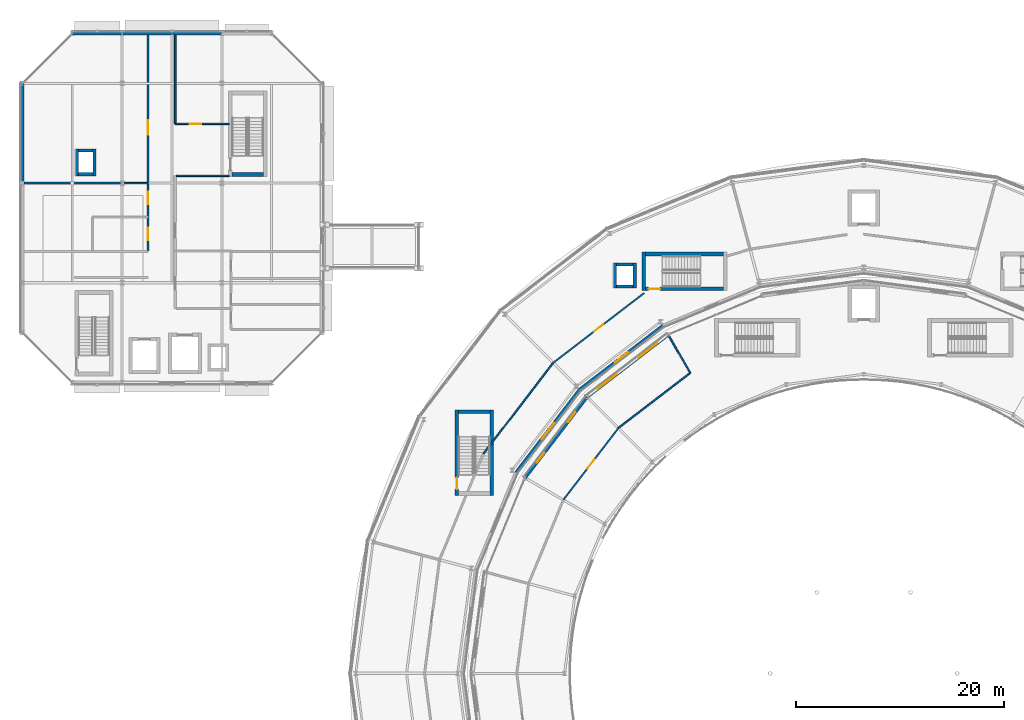
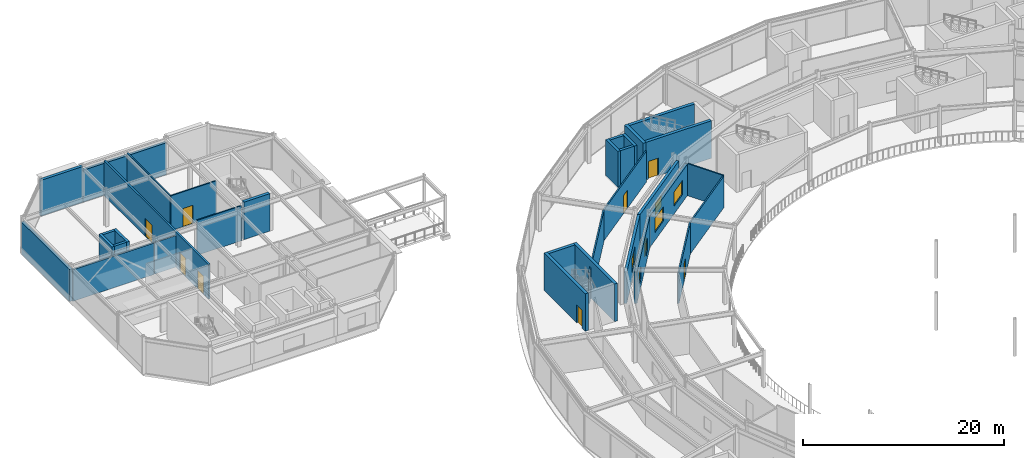
# One storey, part 121 of 157: 33 walls, 8 doors, 6 windows, 14 openings.
"""IFC4 building model written with IfcOpenShell, lengths in metres."""

import ifcopenshell
import ifcopenshell.guid

model = None  # the IFC model being written
_history = None  # IfcOwnerHistory: only IFC2X3 demands one
_inside = {}  # id of a spatial element -> (the spatial element, [elements in it])
_under = {}  # id of a project, library or spatial element -> (it, [spatial elements below it])
_declared = {}  # id of a project -> (the project, [libraries it declares])
_typed = {}  # id of a type object -> (the type object, [elements of that type])
_made_of = {}  # id of a material, layer set ... -> (it, [elements and type objects made of it])


def new_model(schema):
    """Start an empty IFC model of exactly this schema.

    Asked for "IFC4X3", IfcOpenShell would pick the latest addendum, in which some entities
    have other attributes; the version numbers below select the first issue.
    IFC2X3 requires an IfcOwnerHistory on every rooted entity: one is made here for all.
    """
    global model, _history
    if schema == "IFC4X3":
        model = ifcopenshell.file(schema_version=(4, 3, 0, 0))
    else:
        model = ifcopenshell.file(schema=schema)
    _inside.clear()
    _under.clear()
    _declared.clear()
    _typed.clear()
    _made_of.clear()
    _history = None
    if model.schema == "IFC2X3":
        org = make("IfcOrganization", Name="unknown")
        user = make(
            "IfcPersonAndOrganization",
            ThePerson=make("IfcPerson", FamilyName="unknown"),
            TheOrganization=org,
        )
        app = make(
            "IfcApplication",
            ApplicationDeveloper=org,
            Version="unknown",
            ApplicationFullName="unknown",
            ApplicationIdentifier="unknown",
        )
        _history = make(
            "IfcOwnerHistory",
            OwningUser=user,
            OwningApplication=app,
            ChangeAction="ADDED",
            CreationDate=0,
        )
    return model


def make(cls, **values):
    """One entity of the class cls with the attributes given. An attribute that is None is left unset."""
    return model.create_entity(
        cls, **{name: value for name, value in values.items() if value is not None}
    )


def rooted(cls, **values):
    """An entity with a GlobalId (a new one), such as an element, a storey or a relation."""
    return make(cls, GlobalId=ifcopenshell.guid.new(), OwnerHistory=_history, **values)


def si_unit(unit_type, name, prefix=None):
    """IfcSIUnit, for example si_unit("LENGTHUNIT", "METRE", prefix="MILLI")."""
    return make("IfcSIUnit", UnitType=unit_type, Prefix=prefix, Name=name)


def assignment(units):
    """IfcUnitAssignment: the units of a project."""
    return None if units is None else make("IfcUnitAssignment", Units=units)


def point(xyz):
    """IfcCartesianPoint."""
    return None if xyz is None else make("IfcCartesianPoint", Coordinates=xyz)


def direction(xyz):
    """IfcDirection."""
    return None if xyz is None else make("IfcDirection", DirectionRatios=xyz)


def frame(location, z_axis=None, x_axis=None):
    """IfcAxis2Placement3D, a coordinate frame: its origin and axes. An axis left out is left unset."""
    return make(
        "IfcAxis2Placement3D",
        Location=point(location),
        Axis=direction(z_axis),
        RefDirection=direction(x_axis),
    )


def frame_2d(location, x_axis=None):
    """IfcAxis2Placement2D, a coordinate frame in the plane: its origin and x axis."""
    return make(
        "IfcAxis2Placement2D", Location=point(location), RefDirection=direction(x_axis)
    )


def origin():
    """The frame at (0, 0, 0) with its axes left unset."""
    return frame((0.0, 0.0, 0.0))


def place(relative_to, where):
    """IfcLocalPlacement: puts the frame where relative to a parent placement (None: the world)."""
    return make(
        "IfcLocalPlacement", PlacementRelTo=relative_to, RelativePlacement=where
    )


def context(
    kind, dimensions, precision=None, world=None, true_north=None, identifier=None
):
    """IfcGeometricRepresentationContext, for example the 3D "Model" context."""
    return make(
        "IfcGeometricRepresentationContext",
        ContextIdentifier=identifier,
        ContextType=kind,
        CoordinateSpaceDimension=dimensions,
        Precision=precision,
        WorldCoordinateSystem=world,
        TrueNorth=true_north,
    )


def subcontext(parent, identifier, kind, view, scale=None):
    """IfcGeometricRepresentationSubContext, for example "Body" below "Model"."""
    return make(
        "IfcGeometricRepresentationSubContext",
        ContextIdentifier=identifier,
        ContextType=kind,
        ParentContext=parent,
        TargetScale=scale,
        TargetView=view,
    )


def project(units=None, contexts=None):
    """IfcProject with its units and contexts."""
    return rooted(
        "IfcProject",
        Name="project",
        RepresentationContexts=contexts,
        UnitsInContext=assignment(units),
    )


def spatial(cls, under=None, at=None, **own):
    """A site, building, storey or space (cls), placed at a placement, below another one or the project."""
    s = rooted(cls, ObjectPlacement=at, **own)
    if under is not None:
        _under.setdefault(under.id(), (under, []))[1].append(s)
    return s


def profile(cls, at=None, kind="AREA", **sizes):
    """A parametric profile (cls). Its sizes go by their IFC names, for example OverallWidth=200.0."""
    return make(cls, ProfileType=kind, Position=at, **sizes)


def rectangle(**sizes):
    """IfcRectangleProfileDef."""
    return profile("IfcRectangleProfileDef", **sizes)


def extrude(swept, where, along, depth):
    """IfcExtrudedAreaSolid: the profile swept, set in the frame where, extruded along a direction by depth."""
    return make(
        "IfcExtrudedAreaSolid",
        SweptArea=swept,
        Position=where,
        ExtrudedDirection=direction(along),
        Depth=depth,
    )


def shape(context_of_items, identifier, shape_type, items):
    """IfcShapeRepresentation: the items that make up one representation, for example the "Body"."""
    return make(
        "IfcShapeRepresentation",
        ContextOfItems=context_of_items,
        RepresentationIdentifier=identifier,
        RepresentationType=shape_type,
        Items=items,
    )


def material(Name=None, Category=None):
    """IfcMaterial."""
    return make("IfcMaterial", Name=Name, Category=Category)


def layer(
    of_material, thickness, ventilated=None, Name=None, Category=None, Priority=None
):
    """IfcMaterialLayer: one layer of a wall or slab, of a material (None: an air gap)."""
    return make(
        "IfcMaterialLayer",
        Material=of_material,
        LayerThickness=thickness,
        IsVentilated=ventilated,
        Name=Name,
        Category=Category,
        Priority=Priority,
    )


def layer_set(layers, Name=None):
    """IfcMaterialLayerSet."""
    return make("IfcMaterialLayerSet", MaterialLayers=layers, LayerSetName=Name)


def made_of(thing, what):
    """Note that an element or type object is made of a material, layer set ...; save() writes the relation."""
    if what is not None:
        _made_of.setdefault(what.id(), (what, []))[1].append(thing)
    return thing


def type_object(cls, material=None, **own):
    """A type object (cls), such as IfcWallType, which elements share."""
    return made_of(rooted(cls, **own), material)


def element(
    cls,
    number,
    at=None,
    inside=None,
    cuts=None,
    type_object=None,
    material=None,
    context=None,
    identifier="Body",
    shape_type=None,
    held_by="IfcProductDefinitionShape",
    body=None,
    shapes=None,
    **own,
):
    """One element of the class cls, such as IfcWall. Its Tag is "e" and its number.

    at: its placement. inside: the storey or other place that contains it. cuts: it is an
    opening in that element (IfcRelVoidsElement). A single representation is given by context,
    identifier, shape_type and body (its items); several are given by shapes. held_by: the class
    of the entity that holds the representations. save() writes the other relations.
    """
    e = rooted(cls, Tag="e%d" % number, ObjectPlacement=at, **own)
    if body is not None:
        shapes = [shape(context, identifier, shape_type, body)]
    if shapes is not None:
        e.Representation = make(held_by, Representations=shapes)
    if inside is not None:
        _inside.setdefault(inside.id(), (inside, []))[1].append(e)
    if cuts is not None:
        rooted(
            "IfcRelVoidsElement", RelatingBuildingElement=cuts, RelatedOpeningElement=e
        )
    if type_object is not None:
        _typed.setdefault(type_object.id(), (type_object, []))[1].append(e)
    return made_of(e, material)


def fill(opening, filler):
    """IfcRelFillsElement: the door or window that sits in an opening."""
    return rooted(
        "IfcRelFillsElement",
        RelatingOpeningElement=opening,
        RelatedBuildingElement=filler,
    )


def aggregate(whole, parts):
    """IfcRelAggregates: a whole, such as a stair, and the parts it consists of."""
    return rooted("IfcRelAggregates", RelatingObject=whole, RelatedObjects=parts)


def save(model, path):
    """Write the relations noted so far, then the file.

    IfcRelAggregates (storeys below a building ...), IfcRelContainedInSpatialStructure (elements
    in a storey), IfcRelDefinesByType, IfcRelAssociatesMaterial and IfcRelDeclares: one each for
    every whole, place, type object, material and project.
    """
    for whole, parts in _under.values():
        aggregate(whole, parts)
    for where, things in _inside.values():
        rooted(
            "IfcRelContainedInSpatialStructure",
            RelatedElements=things,
            RelatingStructure=where,
        )
    for kind, things in _typed.values():
        rooted("IfcRelDefinesByType", RelatedObjects=things, RelatingType=kind)
    for what, things in _made_of.values():
        rooted("IfcRelAssociatesMaterial", RelatedObjects=things, RelatingMaterial=what)
    for by, libraries in _declared.values():
        rooted("IfcRelDeclares", RelatingContext=by, RelatedDefinitions=libraries)
    model.write(path)


model = new_model("IFC4")

# Units and contexts
model_context = context("Model", 3, precision=1e-05, world=origin(), true_north=direction((0.0, 1.0)))
body_context = subcontext(model_context, "Body", "Model", "MODEL_VIEW")
ifc_project = project(units=[si_unit("LENGTHUNIT", "METRE"), si_unit("AREAUNIT", "SQUARE_METRE"), si_unit("VOLUMEUNIT", "CUBIC_METRE"), si_unit("PLANEANGLEUNIT", "RADIAN"), si_unit("MASSUNIT", "GRAM", prefix="KILO")], contexts=[model_context])

# Site, building, storey
site_placement = place(None, origin())
site = spatial("IfcSite", under=ifc_project, at=site_placement, CompositionType="ELEMENT")
building_placement = place(site_placement, origin())
building = spatial("IfcBuilding", under=site, at=building_placement, Name="Almandine Court Research Institute", CompositionType="ELEMENT")
storey_placement = place(building_placement, frame((0.0, 0.0, 5.25)))
storey = spatial("IfcBuildingStorey", under=building, at=storey_placement, Name="L01", CompositionType="ELEMENT", Elevation=5.25)

# Walls
ifc_material_1 = material(Name="Air-Sealed Cleanroom Envelope Wall")
ifc_layer_1 = layer(ifc_material_1, 0.324951171875)
ifc_layer_set_1 = layer_set([ifc_layer_1], Name="Air-Sealed Cleanroom Envelope Wall")
wall_type_1 = type_object("IfcWallType", Name="Wall-EXT-CR-325", PredefinedType="SOLIDWALL", material=ifc_layer_set_1)
wall_1_placement = place(storey_placement, frame((6.0, 103.2041015625, 0.0), z_axis=(0.0, 0.0, 1.0), x_axis=(0.0, 1.0, 0.0)))
element("IfcWall", 1, at=wall_1_placement, inside=storey, type_object=wall_type_1, Name="L01 Cleanroom West Wall 3", PredefinedType="SOLIDWALL", context=body_context, shape_type="SweptSolid", body=[
    extrude(rectangle(XDim=9.591796875, YDim=0.324951171875, at=frame_2d((4.7958984375, 0.0))), origin(), (0.0, 0.0, 1.0), 3.884033203125),
])
wall_2_placement = place(storey_placement, frame((10.803955078125, 117.60009765625, 0.0), z_axis=(0.0, 0.0, 1.0), x_axis=(1.0, 0.0, 0.0)))
element("IfcWall", 2, at=wall_2_placement, inside=storey, type_object=wall_type_1, Name="L01 Cleanroom North Wall 1", PredefinedType="SOLIDWALL", context=body_context, shape_type="SweptSolid", body=[
    extrude(rectangle(XDim=4.7919921875, YDim=0.324951171875, at=frame_2d((2.39599609375, 0.0))), origin(), (0.0, 0.0, 1.0), 4.3701171875),
])
wall_3_placement = place(storey_placement, frame((15.60400390625, 117.60009765625, 0.0), z_axis=(0.0, 0.0, 1.0), x_axis=(1.0, 0.0, 0.0)))
element("IfcWall", 3, at=wall_3_placement, inside=storey, type_object=wall_type_1, Name="L01 Cleanroom North Wall 2", PredefinedType="SOLIDWALL", context=body_context, shape_type="SweptSolid", body=[
    extrude(rectangle(XDim=9.592041015625, YDim=0.324951171875, at=frame_2d((4.7958984375, 0.0))), origin(), (0.0, 0.0, 1.0), 3.884033203125),
])

# Wall, opening, window
ifc_material_2 = material(Name="Insulated Ochre Terracotta Rainscreen Wall", Category="masonry")
ifc_layer_2 = layer(ifc_material_2, 0.2900390625)
ifc_layer_set_2 = layer_set([ifc_layer_2], Name="Insulated Ochre Terracotta Rainscreen Wall")
wall_type_2 = type_object("IfcWallType", Name="Wall-EXT-TERR-290", PredefinedType="SOLIDWALL", material=ifc_layer_set_2)
wall_4_placement = place(storey_placement, frame((67.6650390625, 89.47705078125, 0.0), z_axis=(0.0, 0.0, 1.0), x_axis=(-0.793371621275, -0.608737604027, 0.0)))
wall_4 = element("IfcWall", 4, at=wall_4_placement, inside=storey, type_object=wall_type_2, Name="L01 Drum Inner Gallery Wall 08", PredefinedType="SOLIDWALL", context=body_context, shape_type="SweptSolid", body=[
    extrude(rectangle(XDim=10.079833984375, YDim=0.2900390625, at=frame_2d((5.0400390625, 0.0))), origin(), (0.0, 0.0, 1.0), 3.81494140625),
])
opening_1_placement = place(wall_4_placement, frame((4.239990234375, 0.0, 0.949951171875)))
opening_1 = element("IfcOpeningElement", 5, at=opening_1_placement, cuts=wall_4, Name="Opening WN-114", PredefinedType="OPENING", context=body_context, shape_type="SweptSolid", body=[
    extrude(rectangle(XDim=1.60009765625, YDim=1.35009765625, at=frame_2d((0.800048828125, 0.675048828125))), frame((0.0, 0.155029296875, 0.0), z_axis=(0.0, -1.0, 0.0), x_axis=(1.0, 0.0, 0.0)), (0.0, 0.0, 1.0), 0.31005859375),
])
ifc_material_3 = material(Name="Thermally Broken Low-E Double-Glazed Window", Category="glass")
window_type_1 = type_object("IfcWindowType", Name="Win-WN-114-1600x1350", PartitioningType="SINGLE_PANEL", PredefinedType="WINDOW", material=ifc_material_3)
window_1_placement = place(opening_1_placement, origin())
window_1 = element("IfcWindow", 6, at=window_1_placement, inside=storey, type_object=window_type_1, Name="L01 Modular Recessed Low-E Window 250", OverallHeight=1.35009765625, OverallWidth=1.60009765625, PartitioningType="SINGLE_PANEL", PredefinedType="WINDOW", context=body_context, shape_type="SweptSolid", body=[
    extrude(rectangle(XDim=1.60009765625, YDim=1.35009765625, at=frame_2d((0.800048828125, 0.675048828125))), frame((0.0, 0.030029296875, 0.0), z_axis=(0.0, -1.0, 0.0), x_axis=(1.0, 0.0, 0.0)), (0.0, 0.0, 1.0), 0.06005859375),
])
fill(opening_1, window_1)

wall_5_placement = place(storey_placement, frame((59.658935546875, 83.33203125, 0.0), z_axis=(0.0, 0.0, 1.0), x_axis=(-0.608737604027, -0.793371621275, 0.0)))
wall_5 = element("IfcWall", 7, at=wall_5_placement, inside=storey, type_object=wall_type_2, Name="L01 Drum Inner Gallery Wall 09", PredefinedType="SOLIDWALL", context=body_context, shape_type="SweptSolid", body=[
    extrude(rectangle(XDim=10.079833984375, YDim=0.2900390625, at=frame_2d((5.0400390625, 0.0))), origin(), (0.0, 0.0, 1.0), 3.81494140625),
])
opening_2_placement = place(wall_5_placement, frame((4.074951171875, 0.0, 0.949951171875)))
opening_2 = element("IfcOpeningElement", 8, at=opening_2_placement, cuts=wall_5, Name="Opening WN-115", PredefinedType="OPENING", context=body_context, shape_type="SweptSolid", body=[
    extrude(rectangle(XDim=1.929931640625, YDim=1.75, at=frame_2d((0.96484375, 0.875))), frame((0.0, 0.155029296875, 0.0), z_axis=(0.0, -1.0, 0.0), x_axis=(1.0, 0.0, 0.0)), (0.0, 0.0, 1.0), 0.31005859375),
])
window_type_2 = type_object("IfcWindowType", Name="Win-WN-115-1930x1750", PartitioningType="SINGLE_PANEL", PredefinedType="WINDOW", material=ifc_material_3)
window_2_placement = place(opening_2_placement, origin())
window_2 = element("IfcWindow", 9, at=window_2_placement, inside=storey, type_object=window_type_2, Name="L01 Modular Recessed Low-E Window 251", OverallHeight=1.75, OverallWidth=1.929931640625, PartitioningType="SINGLE_PANEL", PredefinedType="WINDOW", context=body_context, shape_type="SweptSolid", body=[
    extrude(rectangle(XDim=1.929931640625, YDim=1.75, at=frame_2d((0.96484375, 0.875))), frame((0.0, 0.030029296875, 0.0), z_axis=(0.0, -1.0, 0.0), x_axis=(1.0, 0.0, 0.0)), (0.0, 0.0, 1.0), 0.06005859375),
])
fill(opening_2, window_2)

# Wall, openings, windows
wall_6_placement = place(storey_placement, frame((60.381103515625, 82.625, 0.0), z_axis=(0.0, 0.0, 1.0), x_axis=(0.793364612762, 0.608746738158, 0.0)))
wall_6 = element("IfcWall", 10, at=wall_6_placement, inside=storey, type_object=wall_type_2, Name="L01 Interaction Atrium Perimeter Wall 08", PredefinedType="SOLIDWALL", context=body_context, shape_type="SweptSolid", body=[
    extrude(rectangle(XDim=9.8203125, YDim=0.2900390625, at=frame_2d((4.91015625, 0.0))), origin(), (0.0, 0.0, 1.0), 3.81005859375),
])
opening_3_placement = place(wall_6_placement, frame((1.324951171875, 0.0, 0.949951171875)))
opening_3 = element("IfcOpeningElement", 11, at=opening_3_placement, cuts=wall_6, Name="Opening WN-07", PredefinedType="OPENING", context=body_context, shape_type="SweptSolid", body=[
    extrude(rectangle(XDim=2.260009765625, YDim=1.719970703125, at=frame_2d((1.1298828125, 0.85986328125))), frame((0.0, 0.155029296875, 0.0), z_axis=(0.0, -1.0, 0.0), x_axis=(1.0, 0.0, 0.0)), (0.0, 0.0, 1.0), 0.31005859375),
])
opening_4_placement = place(wall_6_placement, frame((6.235107421875, 0.0, 0.949951171875)))
opening_4 = element("IfcOpeningElement", 12, at=opening_4_placement, cuts=wall_6, Name="Opening WN-07", PredefinedType="OPENING", context=body_context, shape_type="SweptSolid", body=[
    extrude(rectangle(XDim=2.260009765625, YDim=1.719970703125, at=frame_2d((1.1298828125, 0.85986328125))), frame((0.0, 0.155029296875, 0.0), z_axis=(0.0, -1.0, 0.0), x_axis=(1.0, 0.0, 0.0)), (0.0, 0.0, 1.0), 0.31005859375),
])
window_type_3 = type_object("IfcWindowType", Name="Win-WN-07-2260x1720", PartitioningType="SINGLE_PANEL", PredefinedType="WINDOW", material=ifc_material_3)
window_3_placement = place(opening_3_placement, origin())
window_3 = element("IfcWindow", 13, at=window_3_placement, inside=storey, type_object=window_type_3, Name="L01 Modular Recessed Low-E Window 348", OverallHeight=1.719970703125, OverallWidth=2.260009765625, PartitioningType="SINGLE_PANEL", PredefinedType="WINDOW", context=body_context, shape_type="SweptSolid", body=[
    extrude(rectangle(XDim=2.260009765625, YDim=1.719970703125, at=frame_2d((1.1298828125, 0.85986328125))), frame((0.0, 0.030029296875, 0.0), z_axis=(0.0, -1.0, 0.0), x_axis=(1.0, 0.0, 0.0)), (0.0, 0.0, 1.0), 0.06005859375),
])
fill(opening_3, window_3)
window_4_placement = place(opening_4_placement, origin())
window_4 = element("IfcWindow", 14, at=window_4_placement, inside=storey, type_object=window_type_3, Name="L01 Modular Recessed Low-E Window 349", OverallHeight=1.719970703125, OverallWidth=2.260009765625, PartitioningType="SINGLE_PANEL", PredefinedType="WINDOW", context=body_context, shape_type="SweptSolid", body=[
    extrude(rectangle(XDim=2.260009765625, YDim=1.719970703125, at=frame_2d((1.1298828125, 0.85986328125))), frame((0.0, 0.030029296875, 0.0), z_axis=(0.0, -1.0, 0.0), x_axis=(1.0, 0.0, 0.0)), (0.0, 0.0, 1.0), 0.06005859375),
])
fill(opening_4, window_4)

wall_7_placement = place(storey_placement, frame((54.39697265625, 74.827880859375, 0.0), z_axis=(0.0, 0.0, 1.0), x_axis=(0.608746738158, 0.793364612762, 0.0)))
wall_7 = element("IfcWall", 15, at=wall_7_placement, inside=storey, type_object=wall_type_2, Name="L01 Interaction Atrium Perimeter Wall 09", PredefinedType="SOLIDWALL", context=body_context, shape_type="SweptSolid", body=[
    extrude(rectangle(XDim=9.8203125, YDim=0.2900390625, at=frame_2d((4.91015625, 0.0))), origin(), (0.0, 0.0, 1.0), 3.81005859375),
])
opening_5_placement = place(wall_7_placement, frame((1.875, 0.0, 0.949951171875)))
opening_5 = element("IfcOpeningElement", 16, at=opening_5_placement, cuts=wall_7, Name="Opening WN-08", PredefinedType="OPENING", context=body_context, shape_type="SweptSolid", body=[
    extrude(rectangle(XDim=1.159912109375, YDim=1.56005859375, at=frame_2d((0.580078125, 0.780029296875))), frame((0.0, 0.155029296875, 0.0), z_axis=(0.0, -1.0, 0.0), x_axis=(1.0, 0.0, 0.0)), (0.0, 0.0, 1.0), 0.31005859375),
])
opening_6_placement = place(wall_7_placement, frame((6.784912109375, 0.0, 0.949951171875)))
opening_6 = element("IfcOpeningElement", 17, at=opening_6_placement, cuts=wall_7, Name="Opening WN-08", PredefinedType="OPENING", context=body_context, shape_type="SweptSolid", body=[
    extrude(rectangle(XDim=1.159912109375, YDim=1.56005859375, at=frame_2d((0.580078125, 0.780029296875))), frame((0.0, 0.155029296875, 0.0), z_axis=(0.0, -1.0, 0.0), x_axis=(1.0, 0.0, 0.0)), (0.0, 0.0, 1.0), 0.31005859375),
])
window_type_4 = type_object("IfcWindowType", Name="Win-WN-08-1160x1560", PartitioningType="SINGLE_PANEL", PredefinedType="WINDOW", material=ifc_material_3)
window_5_placement = place(opening_5_placement, origin())
window_5 = element("IfcWindow", 18, at=window_5_placement, inside=storey, type_object=window_type_4, Name="L01 Modular Recessed Low-E Window 350", OverallHeight=1.56005859375, OverallWidth=1.159912109375, PartitioningType="SINGLE_PANEL", PredefinedType="WINDOW", context=body_context, shape_type="SweptSolid", body=[
    extrude(rectangle(XDim=1.159912109375, YDim=1.56005859375, at=frame_2d((0.580078125, 0.780029296875))), frame((0.0, 0.030029296875, 0.0), z_axis=(0.0, -1.0, 0.0), x_axis=(1.0, 0.0, 0.0)), (0.0, 0.0, 1.0), 0.06005859375),
])
fill(opening_5, window_5)
window_6_placement = place(opening_6_placement, origin())
window_6 = element("IfcWindow", 19, at=window_6_placement, inside=storey, type_object=window_type_4, Name="L01 Modular Recessed Low-E Window 351", OverallHeight=1.56005859375, OverallWidth=1.159912109375, PartitioningType="SINGLE_PANEL", PredefinedType="WINDOW", context=body_context, shape_type="SweptSolid", body=[
    extrude(rectangle(XDim=1.159912109375, YDim=1.56005859375, at=frame_2d((0.580078125, 0.780029296875))), frame((0.0, 0.030029296875, 0.0), z_axis=(0.0, -1.0, 0.0), x_axis=(1.0, 0.0, 0.0)), (0.0, 0.0, 1.0), 0.06005859375),
])
fill(opening_6, window_6)

# Wall
ifc_material_4 = material(Name="Two-Hour Fire-Barrier Enclosure Wall")
ifc_layer_3 = layer(ifc_material_4, 0.199951171875)
ifc_layer_set_3 = layer_set([ifc_layer_3], Name="Two-Hour Fire-Barrier Enclosure Wall")
wall_type_3 = type_object("IfcWallType", Name="Wall-FIRE-200", PredefinedType="SOLIDWALL", material=ifc_layer_set_3)
wall_8_placement = place(storey_placement, frame((6.159912109375, 103.199951171875, 0.0), z_axis=(0.0, 0.0, 1.0), x_axis=(1.0, 0.0, 0.0)))
element("IfcWall", 20, at=wall_8_placement, inside=storey, type_object=wall_type_3, Name="L01 Interior Partition W-BF-V3-BF1-L01", PredefinedType="SOLIDWALL", context=body_context, shape_type="SweptSolid", body=[
    extrude(rectangle(XDim=9.280029296875, YDim=0.199951171875, at=frame_2d((4.64013671875, 0.0))), origin(), (0.0, 0.0, 1.0), 3.81494140625),
])

# Wall, openings, doors
wall_9_placement = place(storey_placement, frame((18.10009765625, 96.679931640625, 0.0), z_axis=(0.0, 0.0, 1.0), x_axis=(0.0, 1.0, 0.0)))
wall_9 = element("IfcWall", 21, at=wall_9_placement, inside=storey, type_object=wall_type_3, Name="L01 Interior Partition W-V3-L01-CW", PredefinedType="SOLIDWALL", context=body_context, shape_type="SweptSolid", body=[
    extrude(rectangle(XDim=20.760009765625, YDim=0.199951171875, at=frame_2d((10.3798828125, 0.0))), origin(), (0.0, 0.0, 1.0), 4.22998046875),
])
opening_7_placement = place(wall_9_placement, frame((1.0, 0.0, 0.0)))
opening_7 = element("IfcOpeningElement", 22, at=opening_7_placement, cuts=wall_9, Name="Opening FD-LAB", PredefinedType="OPENING", context=body_context, shape_type="SweptSolid", body=[
    extrude(rectangle(XDim=1.199951171875, YDim=2.199951171875, at=frame_2d((0.60009765625, 1.10009765625))), frame((0.0, 0.10986328125, 0.0), z_axis=(0.0, -1.0, 0.0), x_axis=(1.0, 0.0, 0.0)), (0.0, 0.0, 1.0), 0.219970703125),
])
opening_8_placement = place(wall_9_placement, frame((4.5, 0.0, 0.0)))
opening_8 = element("IfcOpeningElement", 23, at=opening_8_placement, cuts=wall_9, Name="Opening FD-LAB", PredefinedType="OPENING", context=body_context, shape_type="SweptSolid", body=[
    extrude(rectangle(XDim=1.199951171875, YDim=2.199951171875, at=frame_2d((0.60009765625, 1.10009765625))), frame((0.0, 0.10986328125, 0.0), z_axis=(0.0, -1.0, 0.0), x_axis=(1.0, 0.0, 0.0)), (0.0, 0.0, 1.0), 0.219970703125),
])
opening_9_placement = place(wall_9_placement, frame((11.199951171875, 0.0, 0.0)))
opening_9 = element("IfcOpeningElement", 24, at=opening_9_placement, cuts=wall_9, Name="Opening FD-LB2", PredefinedType="OPENING", context=body_context, shape_type="SweptSolid", body=[
    extrude(rectangle(XDim=1.35009765625, YDim=2.199951171875, at=frame_2d((0.675048828125, 1.10009765625))), frame((0.0, 0.10986328125, 0.0), z_axis=(0.0, -1.0, 0.0), x_axis=(1.0, 0.0, 0.0)), (0.0, 0.0, 1.0), 0.219970703125),
])
ifc_material_5 = material(Name="Fire-Rated Laboratory Containment Door")
door_type_1 = type_object("IfcDoorType", Name="Door-FD-LAB-1200", OperationType="NOTDEFINED", PredefinedType="DOOR", material=ifc_material_5)
door_1_placement = place(opening_7_placement, origin())
door_1 = element("IfcDoor", 25, at=door_1_placement, inside=storey, type_object=door_type_1, Name="L01 Gowning Airlock Interlock Door", OperationType="SINGLE_SWING_LEFT", OverallHeight=2.199951171875, OverallWidth=1.199951171875, PredefinedType="DOOR", context=body_context, shape_type="SweptSolid", body=[
    extrude(rectangle(XDim=1.199951171875, YDim=2.199951171875, at=frame_2d((0.60009765625, 1.10009765625))), frame((0.0, 0.02490234375, 0.0), z_axis=(0.0, -1.0, 0.0), x_axis=(1.0, 0.0, 0.0)), (0.0, 0.0, 1.0), 0.050048828125),
])
fill(opening_7, door_1)
door_2_placement = place(opening_8_placement, origin())
door_2 = element("IfcDoor", 26, at=door_2_placement, inside=storey, type_object=door_type_1, Name="L01 ISO 5 Clean Room Door", OperationType="SINGLE_SWING_RIGHT", OverallHeight=2.199951171875, OverallWidth=1.199951171875, PredefinedType="DOOR", context=body_context, shape_type="SweptSolid", body=[
    extrude(rectangle(XDim=1.199951171875, YDim=2.199951171875, at=frame_2d((0.60009765625, 1.10009765625))), frame((0.0, 0.02490234375, 0.0), z_axis=(0.0, -1.0, 0.0), x_axis=(1.0, 0.0, 0.0)), (0.0, 0.0, 1.0), 0.050048828125),
])
fill(opening_8, door_2)
ifc_material_6 = material(Name="Wide Fire-Rated Cleanroom and Lab Door")
door_type_2 = type_object("IfcDoorType", Name="Door-FD-LAB-1350", OperationType="NOTDEFINED", PredefinedType="DOOR", material=ifc_material_6)
door_3_placement = place(opening_9_placement, origin())
door_3 = element("IfcDoor", 27, at=door_3_placement, inside=storey, type_object=door_type_2, Name="L01 ISO 6 Clean Room Door", OperationType="SINGLE_SWING_LEFT", OverallHeight=2.199951171875, OverallWidth=1.35009765625, PredefinedType="DOOR", context=body_context, shape_type="SweptSolid", body=[
    extrude(rectangle(XDim=1.35009765625, YDim=2.199951171875, at=frame_2d((0.675048828125, 1.10009765625))), frame((0.0, 0.02490234375, 0.0), z_axis=(0.0, -1.0, 0.0), x_axis=(1.0, 0.0, 0.0)), (0.0, 0.0, 1.0), 0.050048828125),
])
fill(opening_9, door_3)

# Wall, opening, door
ifc_material_7 = material(Name="Acoustic Steel-Stud Gypsum Partition Wall", Category="steel")
ifc_layer_4 = layer(ifc_material_7, 0.14990234375)
ifc_layer_set_4 = layer_set([ifc_layer_4], Name="Acoustic Steel-Stud Gypsum Partition Wall")
wall_type_4 = type_object("IfcWallType", Name="Wall-PART-150", PredefinedType="PARTITIONING", material=ifc_layer_set_4)
wall_10_placement = place(storey_placement, frame((20.719970703125, 108.89990234375, 0.0), z_axis=(0.0, 0.0, 1.0), x_axis=(1.0, 0.0, 0.0)))
wall_10 = element("IfcWall", 28, at=wall_10_placement, inside=storey, type_object=wall_type_4, Name="L01 Interior Partition W-V3-L01-CAL", PredefinedType="PARTITIONING", context=body_context, shape_type="SweptSolid", body=[
    extrude(rectangle(XDim=5.199951171875, YDim=0.14990234375, at=frame_2d((2.60009765625, 0.0))), origin(), (0.0, 0.0, 1.0), 4.22998046875),
])
opening_10_placement = place(wall_10_placement, frame((1.39990234375, 0.0, 0.0)))
opening_10 = element("IfcOpeningElement", 29, at=opening_10_placement, cuts=wall_10, Name="Opening D-03", PredefinedType="OPENING", context=body_context, shape_type="SweptSolid", body=[
    extrude(rectangle(XDim=1.10009765625, YDim=2.199951171875, at=frame_2d((0.550048828125, 1.10009765625))), frame((0.0, 0.0849609375, 0.0), z_axis=(0.0, -1.0, 0.0), x_axis=(1.0, 0.0, 0.0)), (0.0, 0.0, 1.0), 0.169921875),
])
ifc_material_8 = material(Name="Acoustic Vision-Panel Seminar Door")
door_type_3 = type_object("IfcDoorType", Name="Door-INT-1100", OperationType="NOTDEFINED", PredefinedType="DOOR", material=ifc_material_8)
door_4_placement = place(opening_10_placement, origin())
door_4 = element("IfcDoor", 30, at=door_4_placement, inside=storey, type_object=door_type_3, Name="L01 Calibration Suite Door", OperationType="SINGLE_SWING_RIGHT", OverallHeight=2.199951171875, OverallWidth=1.10009765625, PredefinedType="DOOR", context=body_context, shape_type="SweptSolid", body=[
    extrude(rectangle(XDim=1.10009765625, YDim=2.199951171875, at=frame_2d((0.550048828125, 1.10009765625))), frame((0.0, 0.02490234375, 0.0), z_axis=(0.0, -1.0, 0.0), x_axis=(1.0, 0.0, 0.0)), (0.0, 0.0, 1.0), 0.050048828125),
])
fill(opening_10, door_4)

# Walls
wall_11_placement = place(storey_placement, frame((20.719970703125, 108.89990234375, 0.0), z_axis=(0.0, 0.0, 1.0), x_axis=(0.0, 1.0, 0.0)))
element("IfcWall", 31, at=wall_11_placement, inside=storey, type_object=wall_type_4, Name="L01 Interior Partition W-V3-L01-CALW", PredefinedType="PARTITIONING", context=body_context, shape_type="SweptSolid", body=[
    extrude(rectangle(XDim=8.5400390625, YDim=0.14990234375, at=frame_2d((4.27001953125, 0.0))), origin(), (0.0, 0.0, 1.0), 4.22998046875),
])
wall_12_placement = place(storey_placement, frame((20.820068359375, 103.89990234375, 0.0), z_axis=(0.0, 0.0, 1.0), x_axis=(1.0, 0.0, 0.0)))
element("IfcWall", 32, at=wall_12_placement, inside=storey, type_object=wall_type_4, Name="L01 Interior Partition W-V3-L01-CEN", PredefinedType="PARTITIONING", context=body_context, shape_type="SweptSolid", body=[
    extrude(rectangle(XDim=5.099853515625, YDim=0.14990234375, at=frame_2d((2.5498046875, 0.0))), origin(), (0.0, 0.0, 1.0), 4.22998046875),
])
wall_13_placement = place(storey_placement, frame((15.550048828125, 103.199951171875, 0.0), z_axis=(0.0, 0.0, 1.0), x_axis=(1.0, 0.0, 0.0)))
element("IfcWall", 33, at=wall_13_placement, inside=storey, type_object=wall_type_4, Name="L01 Interior Partition W-V3-L01-SPLIT", PredefinedType="PARTITIONING", context=body_context, shape_type="SweptSolid", body=[
    extrude(rectangle(XDim=2.550048828125, YDim=0.14990234375, at=frame_2d((1.27490234375, 0.0))), origin(), (0.0, 0.0, 1.0), 3.81494140625),
])

# Wall, opening, door
wall_14_placement = place(storey_placement, frame((65.860107421875, 92.615966796875, 0.0), z_axis=(0.0, 0.0, 1.0), x_axis=(-0.793301872689, -0.608828497024, 0.0)))
wall_14 = element("IfcWall", 34, at=wall_14_placement, inside=storey, type_object=wall_type_4, Name="L01 Interior Partition W-V5-L01-CHD-08", PredefinedType="PARTITIONING", context=body_context, shape_type="SweptSolid", body=[
    extrude(rectangle(XDim=11.03759765625, YDim=0.14990234375, at=frame_2d((5.518798828125, 0.0))), origin(), (0.0, 0.0, 1.0), 3.737060546875),
])
opening_11_placement = place(wall_14_placement, frame((4.949951171875, 0.0, 0.0)))
opening_11 = element("IfcOpeningElement", 35, at=opening_11_placement, cuts=wall_14, Name="Opening D-03", PredefinedType="OPENING", context=body_context, shape_type="SweptSolid", body=[
    extrude(rectangle(XDim=1.10009765625, YDim=2.199951171875, at=frame_2d((0.550048828125, 1.10009765625))), frame((0.0, 0.0849609375, 0.0), z_axis=(0.0, -1.0, 0.0), x_axis=(1.0, 0.0, 0.0)), (0.0, 0.0, 1.0), 0.169921875),
])
door_5_placement = place(opening_11_placement, origin())
door_5 = element("IfcDoor", 36, at=door_5_placement, inside=storey, type_object=door_type_3, Name="L01 Drum Computational Research Laboratory Door", OperationType="SINGLE_SWING_RIGHT", OverallHeight=2.199951171875, OverallWidth=1.10009765625, PredefinedType="DOOR", context=body_context, shape_type="SweptSolid", body=[
    extrude(rectangle(XDim=1.10009765625, YDim=2.199951171875, at=frame_2d((0.550048828125, 1.10009765625))), frame((0.0, 0.02490234375, 0.0), z_axis=(0.0, -1.0, 0.0), x_axis=(1.0, 0.0, 0.0)), (0.0, 0.0, 1.0), 0.050048828125),
])
fill(opening_11, door_5)

# Walls
wall_15_placement = place(storey_placement, frame((57.10400390625, 85.89599609375, 0.0), z_axis=(0.0, 0.0, 1.0), x_axis=(-0.608828497024, -0.793301872689, 0.0)))
element("IfcWall", 37, at=wall_15_placement, inside=storey, type_object=wall_type_4, Name="L01 Interior Partition W-V5-L01-CHD-09", PredefinedType="PARTITIONING", context=body_context, shape_type="SweptSolid", body=[
    extrude(rectangle(XDim=11.03759765625, YDim=0.14990234375, at=frame_2d((5.518798828125, 0.0))), origin(), (0.0, 0.0, 1.0), 3.737060546875),
])
wall_16_placement = place(storey_placement, frame((70.300048828125, 84.925048828125, 0.0), z_axis=(0.0, 0.0, 1.0), x_axis=(-0.793325051384, -0.608798294056, 0.0)))
element("IfcWall", 38, at=wall_16_placement, inside=storey, type_object=wall_type_4, Name="L01 Interior Partition W-V2-L01-CHD-08", PredefinedType="PARTITIONING", context=body_context, shape_type="SweptSolid", body=[
    extrude(rectangle(XDim=8.718994140625, YDim=0.14990234375, at=frame_2d((4.359375, 0.0))), origin(), (0.0, 0.0, 1.0), 3.81494140625),
])

# Wall, opening, door
wall_17_placement = place(storey_placement, frame((63.383056640625, 79.616943359375, 0.0), z_axis=(0.0, 0.0, 1.0), x_axis=(-0.608798294056, -0.793325051384, 0.0)))
wall_17 = element("IfcWall", 39, at=wall_17_placement, inside=storey, type_object=wall_type_4, Name="L01 Interior Partition W-V2-L01-CHD-09", PredefinedType="PARTITIONING", context=body_context, shape_type="SweptSolid", body=[
    extrude(rectangle(XDim=8.718994140625, YDim=0.14990234375, at=frame_2d((4.359375, 0.0))), origin(), (0.0, 0.0, 1.0), 3.81494140625),
])
opening_12_placement = place(wall_17_placement, frame((3.81005859375, 0.0, 0.0)))
opening_12 = element("IfcOpeningElement", 40, at=opening_12_placement, cuts=wall_17, Name="Opening D-03", PredefinedType="OPENING", context=body_context, shape_type="SweptSolid", body=[
    extrude(rectangle(XDim=1.10009765625, YDim=2.199951171875, at=frame_2d((0.550048828125, 1.10009765625))), frame((0.0, 0.0849609375, 0.0), z_axis=(0.0, -1.0, 0.0), x_axis=(1.0, 0.0, 0.0)), (0.0, 0.0, 1.0), 0.169921875),
])
door_6_placement = place(opening_12_placement, origin())
door_6 = element("IfcDoor", 41, at=door_6_placement, inside=storey, type_object=door_type_3, Name="L01 Atrium Academic Lounge Door", OperationType="SINGLE_SWING_RIGHT", OverallHeight=2.199951171875, OverallWidth=1.10009765625, PredefinedType="DOOR", context=body_context, shape_type="SweptSolid", body=[
    extrude(rectangle(XDim=1.10009765625, YDim=2.199951171875, at=frame_2d((0.550048828125, 1.10009765625))), frame((0.0, 0.02490234375, 0.0), z_axis=(0.0, -1.0, 0.0), x_axis=(1.0, 0.0, 0.0)), (0.0, 0.0, 1.0), 0.050048828125),
])
fill(opening_12, door_6)

# Walls
wall_18_placement = place(storey_placement, frame((70.300048828125, 84.925048828125, 0.0), z_axis=(0.0, 0.0, 1.0), x_axis=(-0.499948612594, 0.866055070284, 0.0)))
element("IfcWall", 42, at=wall_18_placement, inside=storey, type_object=wall_type_4, Name="L01 Interior Partition W-V2-L01-RAD-08", PredefinedType="PARTITIONING", context=body_context, shape_type="SweptSolid", body=[
    extrude(rectangle(XDim=4.08056640625, YDim=0.14990234375, at=frame_2d((2.040283203125, 0.0))), origin(), (0.0, 0.0, 1.0), 3.89697265625),
])
ifc_material_9 = material(Name="Concrete C40/50", Category="concrete")
ifc_layer_5 = layer(ifc_material_9, 0.300048828125)
ifc_layer_set_5 = layer_set([ifc_layer_5], Name="Concrete C40/50")
wall_type_5 = type_object("IfcWallType", Name="Wall-SW-CORE-300", PredefinedType="SHEAR", material=ifc_layer_set_5)
wall_19_placement = place(storey_placement, frame((11.25, 103.89990234375, 0.0), z_axis=(0.0, 0.0, 1.0), x_axis=(0.0, 1.0, 0.0)))
element("IfcWall", 43, at=wall_19_placement, inside=storey, type_object=wall_type_5, Name="L01 MEP Riser RS-V3B W Shear Wall", PredefinedType="SHEAR", context=body_context, shape_type="SweptSolid", body=[
    extrude(rectangle(XDim=2.60009765625, YDim=0.300048828125, at=frame_2d((1.300048828125, 0.0))), origin(), (0.0, 0.0, 1.0), 4.3701171875),
])
wall_20_placement = place(storey_placement, frame((11.39990234375, 106.35009765625, 0.0), z_axis=(0.0, 0.0, 1.0), x_axis=(1.0, 0.0, 0.0)))
element("IfcWall", 44, at=wall_20_placement, inside=storey, type_object=wall_type_5, Name="L01 MEP Riser RS-V3B N Shear Wall", PredefinedType="SHEAR", context=body_context, shape_type="SweptSolid", body=[
    extrude(rectangle(XDim=1.400146484375, YDim=0.300048828125, at=frame_2d((0.7001953125, 0.0))), origin(), (0.0, 0.0, 1.0), 4.3701171875),
])
wall_21_placement = place(storey_placement, frame((12.949951171875, 106.5, 0.0), z_axis=(0.0, 0.0, 1.0), x_axis=(0.0, -1.0, 0.0)))
element("IfcWall", 45, at=wall_21_placement, inside=storey, type_object=wall_type_5, Name="L01 MEP Riser RS-V3B E Shear Wall", PredefinedType="SHEAR", context=body_context, shape_type="SweptSolid", body=[
    extrude(rectangle(XDim=2.60009765625, YDim=0.300048828125, at=frame_2d((1.300048828125, 0.0))), origin(), (0.0, 0.0, 1.0), 4.3701171875),
])
wall_22_placement = place(storey_placement, frame((12.800048828125, 104.050048828125, 0.0), z_axis=(0.0, 0.0, 1.0), x_axis=(-1.0, 0.0, 0.0)))
element("IfcWall", 46, at=wall_22_placement, inside=storey, type_object=wall_type_5, Name="L01 MEP Riser RS-V3B S Shear Wall", PredefinedType="SHEAR", context=body_context, shape_type="SweptSolid", body=[
    extrude(rectangle(XDim=1.400146484375, YDim=0.300048828125, at=frame_2d((0.7001953125, 0.0))), origin(), (0.0, 0.0, 1.0), 4.3701171875),
])
wall_23_placement = place(storey_placement, frame((63.050048828125, 93.10009765625, 0.0), z_axis=(0.0, 0.0, 1.0), x_axis=(0.0, 1.0, 0.0)))
element("IfcWall", 47, at=wall_23_placement, inside=storey, type_object=wall_type_5, Name="L01 MEP Riser RS-V5B W Shear Wall", PredefinedType="SHEAR", context=body_context, shape_type="SweptSolid", body=[
    extrude(rectangle(XDim=2.39990234375, YDim=0.300048828125, at=frame_2d((1.199951171875, 0.0))), origin(), (0.0, 0.0, 1.0), 4.3701171875),
])
wall_24_placement = place(storey_placement, frame((63.199951171875, 95.35009765625, 0.0), z_axis=(0.0, 0.0, 1.0), x_axis=(1.0, 0.0, 0.0)))
element("IfcWall", 48, at=wall_24_placement, inside=storey, type_object=wall_type_5, Name="L01 MEP Riser RS-V5B N Shear Wall", PredefinedType="SHEAR", context=body_context, shape_type="SweptSolid", body=[
    extrude(rectangle(XDim=1.60009765625, YDim=0.300048828125, at=frame_2d((0.800048828125, 0.0))), origin(), (0.0, 0.0, 1.0), 4.3701171875),
])
wall_25_placement = place(storey_placement, frame((64.949951171875, 95.5, 0.0), z_axis=(0.0, 0.0, 1.0), x_axis=(0.0, -1.0, 0.0)))
element("IfcWall", 49, at=wall_25_placement, inside=storey, type_object=wall_type_5, Name="L01 MEP Riser RS-V5B E Shear Wall", PredefinedType="SHEAR", context=body_context, shape_type="SweptSolid", body=[
    extrude(rectangle(XDim=2.39990234375, YDim=0.300048828125, at=frame_2d((1.199951171875, 0.0))), origin(), (0.0, 0.0, 1.0), 4.3701171875),
])
wall_26_placement = place(storey_placement, frame((64.800048828125, 93.25, 0.0), z_axis=(0.0, 0.0, 1.0), x_axis=(-1.0, 0.0, 0.0)))
element("IfcWall", 50, at=wall_26_placement, inside=storey, type_object=wall_type_5, Name="L01 MEP Riser RS-V5B S Shear Wall", PredefinedType="SHEAR", context=body_context, shape_type="SweptSolid", body=[
    extrude(rectangle(XDim=1.60009765625, YDim=0.300048828125, at=frame_2d((0.800048828125, 0.0))), origin(), (0.0, 0.0, 1.0), 4.3701171875),
])
ifc_layer_6 = layer(ifc_material_9, 0.35009765625)
ifc_layer_set_6 = layer_set([ifc_layer_6], Name="Concrete C40/50")
wall_type_6 = type_object("IfcWallType", Name="Wall-SW-CORE-350", PredefinedType="SHEAR", material=ifc_layer_set_6)
wall_27_placement = place(storey_placement, frame((29.199951171875, 104.02490234375, 0.0), z_axis=(0.0, 0.0, 1.0), x_axis=(-1.0, 0.0, 0.0)))
element("IfcWall", 51, at=wall_27_placement, inside=storey, type_object=wall_type_6, Name="L01 ST-06 S Shear Wall", PredefinedType="SHEAR", context=body_context, shape_type="SweptSolid", body=[
    extrude(rectangle(XDim=3.0, YDim=0.35009765625, at=frame_2d((1.5, 0.0))), origin(), (0.0, 0.0, 1.0), 4.550048828125),
])
wall_28_placement = place(storey_placement, frame((65.824951171875, 92.85009765625, 0.0), z_axis=(0.0, 0.0, 1.0), x_axis=(0.0, 1.0, 0.0)))
element("IfcWall", 52, at=wall_28_placement, inside=storey, type_object=wall_type_6, Name="L01 ST-10 W Shear Wall", PredefinedType="SHEAR", context=body_context, shape_type="SweptSolid", body=[
    extrude(rectangle(XDim=3.699951171875, YDim=0.35009765625, at=frame_2d((1.85009765625, 0.0))), origin(), (0.0, 0.0, 1.0), 4.550048828125),
])
wall_29_placement = place(storey_placement, frame((66.0, 96.375, 0.0), z_axis=(0.0, 0.0, 1.0), x_axis=(1.0, 0.0, 0.0)))
element("IfcWall", 53, at=wall_29_placement, inside=storey, type_object=wall_type_6, Name="L01 ST-10 N Shear Wall", PredefinedType="SHEAR", context=body_context, shape_type="SweptSolid", body=[
    extrude(rectangle(XDim=7.5, YDim=0.35009765625, at=frame_2d((3.75, 0.0))), origin(), (0.0, 0.0, 1.0), 4.550048828125),
])

# Wall, opening, door
wall_30_placement = place(storey_placement, frame((73.5, 93.02490234375, 0.0), z_axis=(0.0, 0.0, 1.0), x_axis=(-1.0, 0.0, 0.0)))
wall_30 = element("IfcWall", 54, at=wall_30_placement, inside=storey, type_object=wall_type_6, Name="L01 ST-10 S Shear Wall", PredefinedType="SHEAR", context=body_context, shape_type="SweptSolid", body=[
    extrude(rectangle(XDim=7.5, YDim=0.35009765625, at=frame_2d((3.75, 0.0))), origin(), (0.0, 0.0, 1.0), 4.550048828125),
])
opening_13_placement = place(wall_30_placement, frame((6.10009765625, 0.0, 0.0)))
opening_13 = element("IfcOpeningElement", 55, at=opening_13_placement, cuts=wall_30, Name="Opening FD-STAIR", PredefinedType="OPENING", context=body_context, shape_type="SweptSolid", body=[
    extrude(rectangle(XDim=1.10009765625, YDim=2.14990234375, at=frame_2d((0.550048828125, 1.074951171875))), frame((0.0, 0.18505859375, 0.0), z_axis=(0.0, -1.0, 0.0), x_axis=(1.0, 0.0, 0.0)), (0.0, 0.0, 1.0), 0.3701171875),
])
ifc_material_10 = material(Name="Self-Closing Steel Exit Stair Fire Door", Category="steel")
door_type_4 = type_object("IfcDoorType", Name="Door-FD-STAIR-1100", OperationType="NOTDEFINED", PredefinedType="DOOR", material=ifc_material_10)
door_7_placement = place(opening_13_placement, origin())
door_7 = element("IfcDoor", 56, at=door_7_placement, inside=storey, type_object=door_type_4, Name="L01 Exit Stair ST-10 Fire Door", OperationType="SINGLE_SWING_LEFT", OverallHeight=2.14990234375, OverallWidth=1.10009765625, PredefinedType="DOOR", context=body_context, shape_type="SweptSolid", body=[
    extrude(rectangle(XDim=1.10009765625, YDim=2.14990234375, at=frame_2d((0.550048828125, 1.074951171875))), frame((0.0, 0.02490234375, 0.0), z_axis=(0.0, -1.0, 0.0), x_axis=(1.0, 0.0, 0.0)), (0.0, 0.0, 1.0), 0.050048828125),
])
fill(opening_13, door_7)

wall_31_placement = place(storey_placement, frame((47.824951171875, 73.14990234375, 0.0), z_axis=(0.0, 0.0, 1.0), x_axis=(0.0, 1.0, 0.0)))
wall_31 = element("IfcWall", 57, at=wall_31_placement, inside=storey, type_object=wall_type_6, Name="L01 ST-15 W Shear Wall", PredefinedType="SHEAR", context=body_context, shape_type="SweptSolid", body=[
    extrude(rectangle(XDim=8.2001953125, YDim=0.35009765625, at=frame_2d((4.10009765625, 0.0))), origin(), (0.0, 0.0, 1.0), 4.550048828125),
])
opening_14_placement = place(wall_31_placement, frame((0.60009765625, 0.0, 0.0)))
opening_14 = element("IfcOpeningElement", 58, at=opening_14_placement, cuts=wall_31, Name="Opening FD-STAIR", PredefinedType="OPENING", context=body_context, shape_type="SweptSolid", body=[
    extrude(rectangle(XDim=1.10009765625, YDim=2.14990234375, at=frame_2d((0.550048828125, 1.074951171875))), frame((0.0, 0.18505859375, 0.0), z_axis=(0.0, -1.0, 0.0), x_axis=(1.0, 0.0, 0.0)), (0.0, 0.0, 1.0), 0.3701171875),
])
door_8_placement = place(opening_14_placement, origin())
door_8 = element("IfcDoor", 59, at=door_8_placement, inside=storey, type_object=door_type_4, Name="L01 Exit Stair ST-15 Fire Door", OperationType="SINGLE_SWING_LEFT", OverallHeight=2.14990234375, OverallWidth=1.10009765625, PredefinedType="DOOR", context=body_context, shape_type="SweptSolid", body=[
    extrude(rectangle(XDim=1.10009765625, YDim=2.14990234375, at=frame_2d((0.550048828125, 1.074951171875))), frame((0.0, 0.02490234375, 0.0), z_axis=(0.0, -1.0, 0.0), x_axis=(1.0, 0.0, 0.0)), (0.0, 0.0, 1.0), 0.050048828125),
])
fill(opening_14, door_8)

# Walls
wall_32_placement = place(storey_placement, frame((48.0, 81.175048828125, 0.0), z_axis=(0.0, 0.0, 1.0), x_axis=(1.0, 0.0, 0.0)))
element("IfcWall", 60, at=wall_32_placement, inside=storey, type_object=wall_type_6, Name="L01 ST-15 N Shear Wall", PredefinedType="SHEAR", context=body_context, shape_type="SweptSolid", body=[
    extrude(rectangle(XDim=3.0, YDim=0.35009765625, at=frame_2d((1.5, 0.0))), origin(), (0.0, 0.0, 1.0), 4.550048828125),
])
wall_33_placement = place(storey_placement, frame((51.175048828125, 81.35009765625, 0.0), z_axis=(0.0, 0.0, 1.0), x_axis=(0.0, -1.0, 0.0)))
element("IfcWall", 61, at=wall_33_placement, inside=storey, type_object=wall_type_6, Name="L01 ST-15 E Shear Wall", PredefinedType="SHEAR", context=body_context, shape_type="SweptSolid", body=[
    extrude(rectangle(XDim=8.2001953125, YDim=0.35009765625, at=frame_2d((4.10009765625, 0.0))), origin(), (0.0, 0.0, 1.0), 4.550048828125),
])

save(model, "model.ifc")
